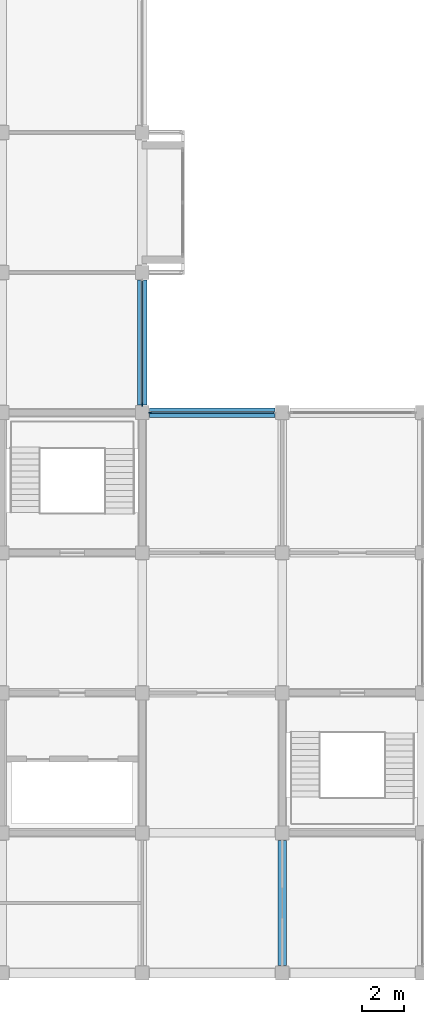
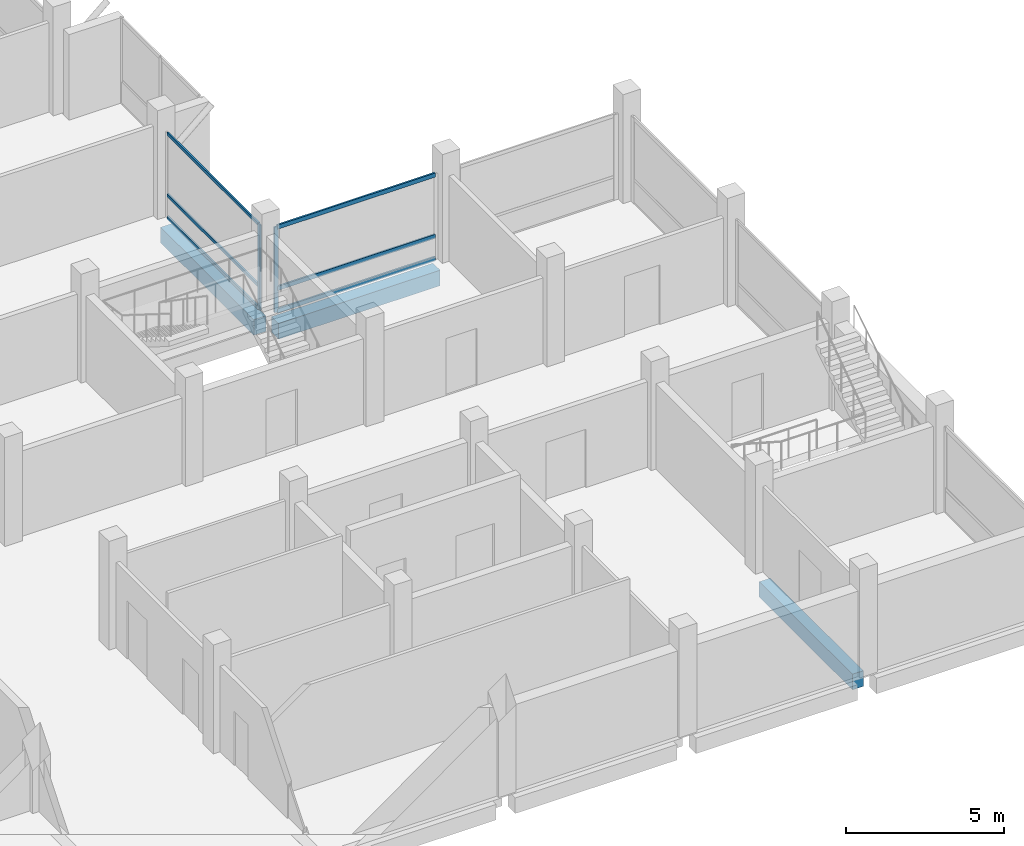
# One storey, part 2 of 10: 8 members, 3 beams, 2 elements without a shape of their own.
"""IFC4 building model written with IfcOpenShell, lengths in metres."""

import ifcopenshell
import ifcopenshell.guid

model = None  # the IFC model being written
_history = None  # IfcOwnerHistory: only IFC2X3 demands one
_inside = {}  # id of a spatial element -> (the spatial element, [elements in it])
_under = {}  # id of a project, library or spatial element -> (it, [spatial elements below it])
_declared = {}  # id of a project -> (the project, [libraries it declares])
_typed = {}  # id of a type object -> (the type object, [elements of that type])
_made_of = {}  # id of a material, layer set ... -> (it, [elements and type objects made of it])


def new_model(schema):
    """Start an empty IFC model of exactly this schema.

    Asked for "IFC4X3", IfcOpenShell would pick the latest addendum, in which some entities
    have other attributes; the version numbers below select the first issue.
    IFC2X3 requires an IfcOwnerHistory on every rooted entity: one is made here for all.
    """
    global model, _history
    if schema == "IFC4X3":
        model = ifcopenshell.file(schema_version=(4, 3, 0, 0))
    else:
        model = ifcopenshell.file(schema=schema)
    _inside.clear()
    _under.clear()
    _declared.clear()
    _typed.clear()
    _made_of.clear()
    _history = None
    if model.schema == "IFC2X3":
        org = make("IfcOrganization", Name="unknown")
        user = make(
            "IfcPersonAndOrganization",
            ThePerson=make("IfcPerson", FamilyName="unknown"),
            TheOrganization=org,
        )
        app = make(
            "IfcApplication",
            ApplicationDeveloper=org,
            Version="unknown",
            ApplicationFullName="unknown",
            ApplicationIdentifier="unknown",
        )
        _history = make(
            "IfcOwnerHistory",
            OwningUser=user,
            OwningApplication=app,
            ChangeAction="ADDED",
            CreationDate=0,
        )
    return model


def make(cls, **values):
    """One entity of the class cls with the attributes given. An attribute that is None is left unset."""
    return model.create_entity(
        cls, **{name: value for name, value in values.items() if value is not None}
    )


def rooted(cls, **values):
    """An entity with a GlobalId (a new one), such as an element, a storey or a relation."""
    return make(cls, GlobalId=ifcopenshell.guid.new(), OwnerHistory=_history, **values)


def si_unit(unit_type, name, prefix=None):
    """IfcSIUnit, for example si_unit("LENGTHUNIT", "METRE", prefix="MILLI")."""
    return make("IfcSIUnit", UnitType=unit_type, Prefix=prefix, Name=name)


def assignment(units):
    """IfcUnitAssignment: the units of a project."""
    return None if units is None else make("IfcUnitAssignment", Units=units)


def point(xyz):
    """IfcCartesianPoint."""
    return None if xyz is None else make("IfcCartesianPoint", Coordinates=xyz)


def direction(xyz):
    """IfcDirection."""
    return None if xyz is None else make("IfcDirection", DirectionRatios=xyz)


def frame(location, z_axis=None, x_axis=None):
    """IfcAxis2Placement3D, a coordinate frame: its origin and axes. An axis left out is left unset."""
    return make(
        "IfcAxis2Placement3D",
        Location=point(location),
        Axis=direction(z_axis),
        RefDirection=direction(x_axis),
    )


def frame_2d(location, x_axis=None):
    """IfcAxis2Placement2D, a coordinate frame in the plane: its origin and x axis."""
    return make(
        "IfcAxis2Placement2D", Location=point(location), RefDirection=direction(x_axis)
    )


def origin():
    """The frame at (0, 0, 0) with its axes left unset."""
    return frame((0.0, 0.0, 0.0))


def origin_2d():
    """The frame at (0, 0) in the plane with its x axis left unset."""
    return frame_2d((0.0, 0.0))


def place(relative_to, where):
    """IfcLocalPlacement: puts the frame where relative to a parent placement (None: the world)."""
    return make(
        "IfcLocalPlacement", PlacementRelTo=relative_to, RelativePlacement=where
    )


def context(
    kind, dimensions, precision=None, world=None, true_north=None, identifier=None
):
    """IfcGeometricRepresentationContext, for example the 3D "Model" context."""
    return make(
        "IfcGeometricRepresentationContext",
        ContextIdentifier=identifier,
        ContextType=kind,
        CoordinateSpaceDimension=dimensions,
        Precision=precision,
        WorldCoordinateSystem=world,
        TrueNorth=true_north,
    )


def subcontext(parent, identifier, kind, view, scale=None):
    """IfcGeometricRepresentationSubContext, for example "Body" below "Model"."""
    return make(
        "IfcGeometricRepresentationSubContext",
        ContextIdentifier=identifier,
        ContextType=kind,
        ParentContext=parent,
        TargetScale=scale,
        TargetView=view,
    )


def project(units=None, contexts=None):
    """IfcProject with its units and contexts."""
    return rooted(
        "IfcProject",
        Name="project",
        RepresentationContexts=contexts,
        UnitsInContext=assignment(units),
    )


def spatial(cls, under=None, at=None, **own):
    """A site, building, storey or space (cls), placed at a placement, below another one or the project."""
    s = rooted(cls, ObjectPlacement=at, **own)
    if under is not None:
        _under.setdefault(under.id(), (under, []))[1].append(s)
    return s


def profile(cls, at=None, kind="AREA", **sizes):
    """A parametric profile (cls). Its sizes go by their IFC names, for example OverallWidth=200.0."""
    return make(cls, ProfileType=kind, Position=at, **sizes)


def rectangle(**sizes):
    """IfcRectangleProfileDef."""
    return profile("IfcRectangleProfileDef", **sizes)


def extrude(swept, where, along, depth):
    """IfcExtrudedAreaSolid: the profile swept, set in the frame where, extruded along a direction by depth."""
    return make(
        "IfcExtrudedAreaSolid",
        SweptArea=swept,
        Position=where,
        ExtrudedDirection=direction(along),
        Depth=depth,
    )


def shape(context_of_items, identifier, shape_type, items):
    """IfcShapeRepresentation: the items that make up one representation, for example the "Body"."""
    return make(
        "IfcShapeRepresentation",
        ContextOfItems=context_of_items,
        RepresentationIdentifier=identifier,
        RepresentationType=shape_type,
        Items=items,
    )


def material(Name=None, Category=None):
    """IfcMaterial."""
    return make("IfcMaterial", Name=Name, Category=Category)


def material_profile(
    of_material, cross_section, Name=None, Category=None, Priority=None
):
    """IfcMaterialProfile: a cross section and its material."""
    return make(
        "IfcMaterialProfile",
        Name=Name,
        Material=of_material,
        Profile=cross_section,
        Priority=Priority,
        Category=Category,
    )


def profile_set(profiles, Name=None, composite=None):
    """IfcMaterialProfileSet."""
    return make(
        "IfcMaterialProfileSet",
        Name=Name,
        MaterialProfiles=profiles,
        CompositeProfile=composite,
    )


def made_of(thing, what):
    """Note that an element or type object is made of a material, layer set ...; save() writes the relation."""
    if what is not None:
        _made_of.setdefault(what.id(), (what, []))[1].append(thing)
    return thing


def type_object(cls, material=None, **own):
    """A type object (cls), such as IfcWallType, which elements share."""
    return made_of(rooted(cls, **own), material)


def element(
    cls,
    number,
    at=None,
    inside=None,
    cuts=None,
    type_object=None,
    material=None,
    context=None,
    identifier="Body",
    shape_type=None,
    held_by="IfcProductDefinitionShape",
    body=None,
    shapes=None,
    **own,
):
    """One element of the class cls, such as IfcWall. Its Tag is "e" and its number.

    at: its placement. inside: the storey or other place that contains it. cuts: it is an
    opening in that element (IfcRelVoidsElement). A single representation is given by context,
    identifier, shape_type and body (its items); several are given by shapes. held_by: the class
    of the entity that holds the representations. save() writes the other relations.
    """
    e = rooted(cls, Tag="e%d" % number, ObjectPlacement=at, **own)
    if body is not None:
        shapes = [shape(context, identifier, shape_type, body)]
    if shapes is not None:
        e.Representation = make(held_by, Representations=shapes)
    if inside is not None:
        _inside.setdefault(inside.id(), (inside, []))[1].append(e)
    if cuts is not None:
        rooted(
            "IfcRelVoidsElement", RelatingBuildingElement=cuts, RelatedOpeningElement=e
        )
    if type_object is not None:
        _typed.setdefault(type_object.id(), (type_object, []))[1].append(e)
    return made_of(e, material)


def aggregate(whole, parts):
    """IfcRelAggregates: a whole, such as a stair, and the parts it consists of."""
    return rooted("IfcRelAggregates", RelatingObject=whole, RelatedObjects=parts)


def save(model, path):
    """Write the relations noted so far, then the file.

    IfcRelAggregates (storeys below a building ...), IfcRelContainedInSpatialStructure (elements
    in a storey), IfcRelDefinesByType, IfcRelAssociatesMaterial and IfcRelDeclares: one each for
    every whole, place, type object, material and project.
    """
    for whole, parts in _under.values():
        aggregate(whole, parts)
    for where, things in _inside.values():
        rooted(
            "IfcRelContainedInSpatialStructure",
            RelatedElements=things,
            RelatingStructure=where,
        )
    for kind, things in _typed.values():
        rooted("IfcRelDefinesByType", RelatedObjects=things, RelatingType=kind)
    for what, things in _made_of.values():
        rooted("IfcRelAssociatesMaterial", RelatedObjects=things, RelatingMaterial=what)
    for by, libraries in _declared.values():
        rooted("IfcRelDeclares", RelatingContext=by, RelatedDefinitions=libraries)
    model.write(path)


model = new_model("IFC4")

# Units and contexts
model_context = context("Model", 3, precision=1e-05, world=origin(), true_north=direction((0.0, 1.0)))
body_context = subcontext(model_context, "Body", "Model", "MODEL_VIEW")
ifc_project = project(units=[si_unit("LENGTHUNIT", "METRE"), si_unit("AREAUNIT", "SQUARE_METRE"), si_unit("VOLUMEUNIT", "CUBIC_METRE"), si_unit("PLANEANGLEUNIT", "RADIAN"), si_unit("MASSUNIT", "GRAM", prefix="KILO")], contexts=[model_context])

# Site, building, storey
site_placement = place(None, origin())
site = spatial("IfcSite", under=ifc_project, at=site_placement, CompositionType="ELEMENT")
building_placement = place(site_placement, origin())
building = spatial("IfcBuilding", under=site, at=building_placement, Name="Rusizi Kubbe Research Institute", CompositionType="ELEMENT")
storey_placement = place(building_placement, frame((0.0, 0.0, 52.199951171875)))
storey = spatial("IfcBuildingStorey", under=building, at=storey_placement, Name="L12", CompositionType="ELEMENT", Elevation=52.199951171875)

# Beams
ifc_material_1 = material(Name="Concrete C40/50", Category="concrete")
ifc_material_profile_1 = material_profile(ifc_material_1, rectangle(XDim=0.39990234375, YDim=0.60009765625, at=origin_2d()), Name="RC400x600")
ifc_profile_set_1 = profile_set([ifc_material_profile_1], Name="Concrete C40/50")
beam_type_1 = type_object("IfcBeamType", Name="BM-RC400x600", PredefinedType="BEAM", material=ifc_profile_set_1)
beam_placement = place(storey_placement, frame((33.0, 0.35009765625, -0.60986328125), z_axis=(0.0, 1.0, 0.0), x_axis=(-1.0, 0.0, 0.0)))
element("IfcBeam", 1, at=beam_placement, inside=storey, type_object=beam_type_1, Name="Grid Beam V L12 (5,0)", PredefinedType="BEAM", context=body_context, shape_type="SweptSolid", body=[
    extrude(rectangle(XDim=0.39990234375, YDim=0.60009765625, at=origin_2d()), origin(), (0.0, 0.0, 1.0), 5.89990234375),
])
ifc_material_2 = material(Name="Concrete C40/50", Category="concrete")
ifc_material_profile_2 = material_profile(ifc_material_2, rectangle(XDim=0.449951171875, YDim=0.60009765625, at=origin_2d()), Name="RC450x600")
ifc_profile_set_2 = profile_set([ifc_material_profile_2], Name="Concrete C40/50")
beam_type_2 = type_object("IfcBeamType", Name="BM-RC450x600", PredefinedType="SPANDREL", material=ifc_profile_set_2)
for number, where, z_axis, x_axis, name in (
    (2, (26.75, 26.39990234375, -0.60986328125), (1.0, 0.0, 0.0), (0.0, 1.0, 0.0), "Grid Beam H L12 (4,4)"),
    (3, (26.39990234375, 26.75, -0.60986328125), (0.0, 1.0, 0.0), (-1.0, 0.0, 0.0), "Grid Beam V L12 (4,4)"),
):
    element("IfcBeam", number, at=place(storey_placement, frame(where, z_axis=z_axis, x_axis=x_axis)), inside=storey, type_object=beam_type_2, Name=name, PredefinedType="SPANDREL", context=body_context, shape_type="SweptSolid", body=[
        extrude(rectangle(XDim=0.449951171875, YDim=0.60009765625, at=origin_2d()), origin(), (0.0, 0.0, 1.0), 5.89990234375),
    ])

# Curtain wall, member
ifc_material_3 = material(Name="Thermally Broken Aluminium and Low-E Glazing", Category="aluminium")
curtain_wall_type = type_object("IfcCurtainWallType", Name="CW-15", PredefinedType="NOTDEFINED", material=ifc_material_3)
curtain_wall_1_placement = place(storey_placement, origin())
curtain_wall_1 = element("IfcCurtainWall", 4, at=curtain_wall_1_placement, inside=storey, type_object=curtain_wall_type, Name="Unitised Facade Curtain Wall CW-L12-V-04-04", PredefinedType="NOTDEFINED")
ifc_material_4 = material(Name="Aluminium Alloy 6063-T6", Category="aluminium")
ifc_material_profile_3 = material_profile(ifc_material_4, rectangle(XDim=0.06005859375, YDim=0.14990234375, at=origin_2d()), Name="ALU-M 60x150")
ifc_profile_set_3 = profile_set([ifc_material_profile_3], Name="Aluminium Alloy 6063-T6")
member_type_1 = type_object("IfcMemberType", Name="ML-01", PredefinedType="MULLION", material=ifc_profile_set_3)
member_1_placement = place(storey_placement, frame((26.39990234375, 26.784912109375, 0.0), z_axis=(0.0, 0.0, 1.0), x_axis=(-1.0, 0.0, 0.0)))
member_1 = element("IfcMember", 5, at=member_1_placement, type_object=member_type_1, Name="CW-15 mullion 1", PredefinedType="MULLION", context=body_context, shape_type="SweptSolid", body=[
    extrude(rectangle(XDim=0.06005859375, YDim=0.14990234375, at=origin_2d()), origin(), (0.0, 0.0, 1.0), 3.300048828125),
])

curtain_wall_2_placement = place(storey_placement, origin())
curtain_wall_2 = element("IfcCurtainWall", 6, at=curtain_wall_2_placement, inside=storey, type_object=curtain_wall_type, Name="Unitised Facade Curtain Wall CW-L12-H-04-04", PredefinedType="NOTDEFINED")
member_2_placement = place(storey_placement, frame((26.784912109375, 26.39990234375, 0.0), z_axis=(0.0, 0.0, 1.0), x_axis=(0.0, 1.0, 0.0)))
member_2 = element("IfcMember", 7, at=member_2_placement, type_object=member_type_1, Name="CW-15 mullion 1", PredefinedType="MULLION", context=body_context, shape_type="SweptSolid", body=[
    extrude(rectangle(XDim=0.06005859375, YDim=0.14990234375, at=origin_2d()), origin(), (0.0, 0.0, 1.0), 3.300048828125),
])

# Member
ifc_material_5 = material(Name="Aluminium Alloy 6063-T6", Category="aluminium")
ifc_material_profile_4 = material_profile(ifc_material_5, rectangle(XDim=0.06005859375, YDim=0.1201171875, at=origin_2d()), Name="ALU-T 60x120")
ifc_profile_set_4 = profile_set([ifc_material_profile_4], Name="Aluminium Alloy 6063-T6")
member_type_2 = type_object("IfcMemberType", Name="TR-01", PredefinedType="USERDEFINED", material=ifc_profile_set_4)
member_3_placement = place(storey_placement, frame((26.39990234375, 26.81494140625, 0.030029296875), z_axis=(0.0, 1.0, 0.0), x_axis=(-1.0, 0.0, 0.0)))
member_3 = element("IfcMember", 8, at=member_3_placement, type_object=member_type_2, Name="CW-15 transom 1.1", ObjectType="TRANSOM", PredefinedType="USERDEFINED", context=body_context, shape_type="SweptSolid", body=[
    extrude(rectangle(XDim=0.06005859375, YDim=0.1201171875, at=origin_2d()), origin(), (0.0, 0.0, 1.0), 5.77001953125),
])

member_4_placement = place(storey_placement, frame((26.39990234375, 26.81494140625, 0.900146484375), z_axis=(0.0, 1.0, 0.0), x_axis=(-1.0, 0.0, 0.0)))
member_4 = element("IfcMember", 9, at=member_4_placement, type_object=member_type_2, Name="CW-15 transom 1.2", ObjectType="TRANSOM", PredefinedType="USERDEFINED", context=body_context, shape_type="SweptSolid", body=[
    extrude(rectangle(XDim=0.06005859375, YDim=0.1201171875, at=origin_2d()), origin(), (0.0, 0.0, 1.0), 5.77001953125),
])

member_5_placement = place(storey_placement, frame((26.39990234375, 26.81494140625, 3.27001953125), z_axis=(0.0, 1.0, 0.0), x_axis=(-1.0, 0.0, 0.0)))
member_5 = element("IfcMember", 10, at=member_5_placement, type_object=member_type_2, Name="CW-15 transom 1.3", ObjectType="TRANSOM", PredefinedType="USERDEFINED", context=body_context, shape_type="SweptSolid", body=[
    extrude(rectangle(XDim=0.06005859375, YDim=0.1201171875, at=origin_2d()), origin(), (0.0, 0.0, 1.0), 5.77001953125),
])

aggregate(curtain_wall_1, [member_1, member_3, member_4, member_5])

ifc_material_6 = material(Name="Aluminium Alloy 6063-T6", Category="aluminium")
ifc_material_profile_5 = material_profile(ifc_material_6, rectangle(XDim=0.06494140625, YDim=0.159912109375, at=origin_2d()), Name="ALU-T 65x160")
ifc_profile_set_5 = profile_set([ifc_material_profile_5], Name="Aluminium Alloy 6063-T6")
member_type_3 = type_object("IfcMemberType", Name="TR-03", PredefinedType="USERDEFINED", material=ifc_profile_set_5)
member_6_placement = place(storey_placement, frame((26.81494140625, 26.39990234375, 0.032470703125), z_axis=(1.0, 0.0, 0.0), x_axis=(0.0, 1.0, 0.0)))
member_6 = element("IfcMember", 11, at=member_6_placement, type_object=member_type_3, Name="CW-15 transom 1.1", ObjectType="TRANSOM", PredefinedType="USERDEFINED", context=body_context, shape_type="SweptSolid", body=[
    extrude(rectangle(XDim=0.06494140625, YDim=0.159912109375, at=origin_2d()), origin(), (0.0, 0.0, 1.0), 5.77001953125),
])

member_7_placement = place(storey_placement, frame((26.81494140625, 26.39990234375, 0.900146484375), z_axis=(1.0, 0.0, 0.0), x_axis=(0.0, 1.0, 0.0)))
member_7 = element("IfcMember", 12, at=member_7_placement, type_object=member_type_3, Name="CW-15 transom 1.2", ObjectType="TRANSOM", PredefinedType="USERDEFINED", context=body_context, shape_type="SweptSolid", body=[
    extrude(rectangle(XDim=0.06494140625, YDim=0.159912109375, at=origin_2d()), origin(), (0.0, 0.0, 1.0), 5.77001953125),
])

member_8_placement = place(storey_placement, frame((26.81494140625, 26.39990234375, 3.267578125), z_axis=(1.0, 0.0, 0.0), x_axis=(0.0, 1.0, 0.0)))
member_8 = element("IfcMember", 13, at=member_8_placement, type_object=member_type_3, Name="CW-15 transom 1.3", ObjectType="TRANSOM", PredefinedType="USERDEFINED", context=body_context, shape_type="SweptSolid", body=[
    extrude(rectangle(XDim=0.06494140625, YDim=0.159912109375, at=origin_2d()), origin(), (0.0, 0.0, 1.0), 5.77001953125),
])

aggregate(curtain_wall_2, [member_2, member_6, member_7, member_8])

save(model, "model.ifc")
